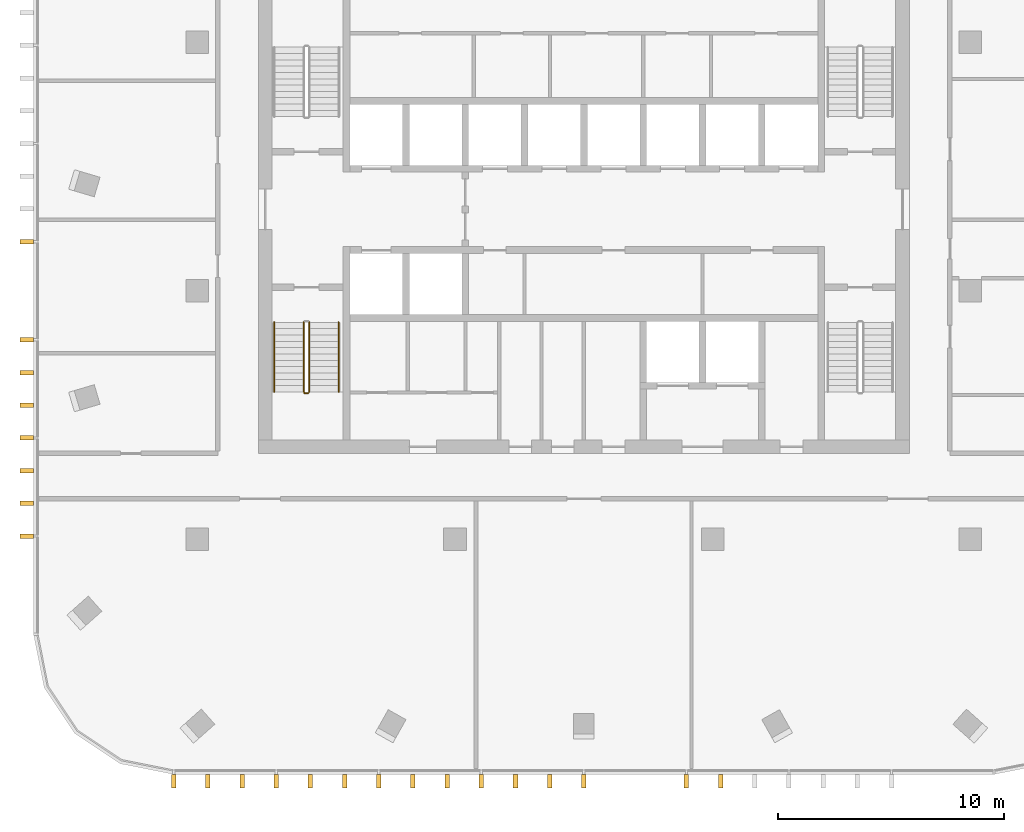
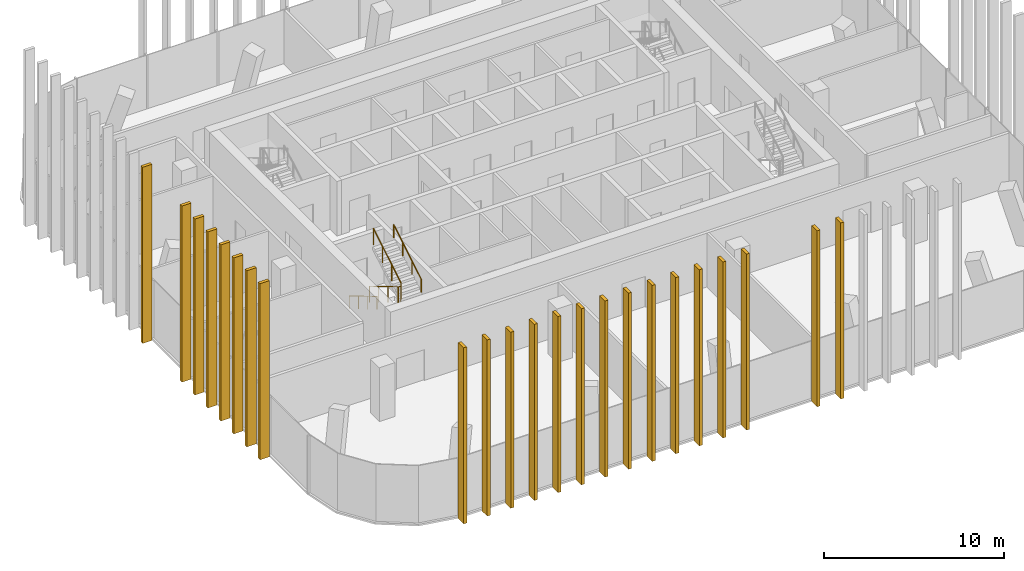
# One storey, part 10 of 13: 23 shading devices, 4 railings.
"""IFC4 building model written with IfcOpenShell, lengths in metres."""

from ifc_helpers import new_model, si_unit, direction, frame, origin, origin_2d, place, context, subcontext, project, spatial, rectangle, circle, extrude, material, type_object, element, save


model = new_model("IFC4")

# Units and contexts
model_context = context("Model", 3, precision=1e-05, world=origin(), true_north=direction((0.0, 1.0)))
body_context = subcontext(model_context, "Body", "Model", "MODEL_VIEW")
ifc_project = project(units=[si_unit("LENGTHUNIT", "METRE"), si_unit("AREAUNIT", "SQUARE_METRE"), si_unit("VOLUMEUNIT", "CUBIC_METRE"), si_unit("PLANEANGLEUNIT", "RADIAN"), si_unit("MASSUNIT", "GRAM", prefix="KILO")], contexts=[model_context])

# Site, building, storey
site_placement = place(None, origin())
site = spatial("IfcSite", under=ifc_project, at=site_placement, CompositionType="ELEMENT")
building_placement = place(site_placement, origin())
building = spatial("IfcBuilding", under=site, at=building_placement, Name="Mopane Tessera Tower", CompositionType="ELEMENT")
storey_placement = place(building_placement, frame((0.0, 0.0, 345.39990234375)))
storey = spatial("IfcBuildingStorey", under=building, at=storey_placement, Name="L75", CompositionType="ELEMENT", Elevation=345.39990234375)

# Shading devices
ifc_material_1 = material(Name="Glazed ceramic tile")
shading_device_type = type_object("IfcShadingDeviceType", Name="Ceramic tile fin 600 x 200 mm", PredefinedType="USERDEFINED", material=ifc_material_1)
for number, where, z_axis, x_axis, name in (
    (1, (-18.14990234375, -21.699951171875, -0.35009765625), (0.0, 0.0, 1.0), (1.0, 0.0, 0.0), "e:fin:L75:S:0:0"),
    (2, (-16.637451171875, -21.699951171875, -0.35009765625), (0.0, 0.0, 1.0), (1.0, 0.0, 0.0), "e:fin:L75:S:0:1"),
    (3, (-15.125, -21.699951171875, -0.35009765625), (0.0, 0.0, 1.0), (1.0, 0.0, 0.0), "e:fin:L75:S:0:2"),
    (4, (-13.612548828125, -21.699951171875, -0.35009765625), (0.0, 0.0, 1.0), (1.0, 0.0, 0.0), "e:fin:L75:S:1:0"),
    (5, (-12.10009765625, -21.699951171875, -0.35009765625), (0.0, 0.0, 1.0), (1.0, 0.0, 0.0), "e:fin:L75:S:1:1"),
    (6, (-10.58740234375, -21.699951171875, -0.35009765625), (0.0, 0.0, 1.0), (1.0, 0.0, 0.0), "e:fin:L75:S:1:2"),
    (7, (-9.074951171875, -21.699951171875, -0.35009765625), (0.0, 0.0, 1.0), (1.0, 0.0, 0.0), "e:fin:L75:S:2:0"),
    (8, (-7.5625, -21.699951171875, -0.35009765625), (0.0, 0.0, 1.0), (1.0, 0.0, 0.0), "e:fin:L75:S:2:1"),
    (9, (-6.050048828125, -21.699951171875, -0.35009765625), (0.0, 0.0, 1.0), (1.0, 0.0, 0.0), "e:fin:L75:S:2:2"),
    (10, (-4.53759765625, -21.699951171875, -0.35009765625), (0.0, 0.0, 1.0), (1.0, 0.0, 0.0), "e:fin:L75:S:3:0"),
    (11, (-3.02490234375, -21.699951171875, -0.35009765625), (0.0, 0.0, 1.0), (1.0, 0.0, 0.0), "e:fin:L75:S:3:1"),
    (12, (-1.512451171875, -21.699951171875, -0.35009765625), (0.0, 0.0, 1.0), (1.0, 0.0, 0.0), "e:fin:L75:S:3:2"),
    (13, (0.0, -21.699951171875, -0.35009765625), (0.0, 0.0, 1.0), (1.0, 0.0, 0.0), "e:fin:L75:S:3:3"),
    (14, (4.53759765625, -21.699951171875, -0.35009765625), (0.0, 0.0, 1.0), (1.0, 0.0, 0.0), "e:fin:L75:S:5:0"),
    (15, (6.050048828125, -21.699951171875, -0.35009765625), (0.0, 0.0, 1.0), (1.0, 0.0, 0.0), "e:fin:L75:S:5:1"),
    (16, (-24.64990234375, 2.17138671875, -0.35009765625), (0.0, 0.0, 1.0), (0.0, -1.0, 0.0), "e:fin:L75:W:2:3"),
    (17, (-24.64990234375, -2.17138671875, -0.35009765625), (0.0, 0.0, 1.0), (0.0, -1.0, 0.0), "e:fin:L75:W:4:0"),
    (18, (-24.64990234375, -3.619140625, -0.35009765625), (0.0, 0.0, 1.0), (0.0, -1.0, 0.0), "e:fin:L75:W:4:1"),
    (19, (-24.64990234375, -5.066650390625, -0.35009765625), (0.0, 0.0, 1.0), (0.0, -1.0, 0.0), "e:fin:L75:W:4:2"),
    (20, (-24.64990234375, -6.514404296875, -0.35009765625), (0.0, 0.0, 1.0), (0.0, -1.0, 0.0), "e:fin:L75:W:5:0"),
    (21, (-24.64990234375, -7.9619140625, -0.35009765625), (0.0, 0.0, 1.0), (0.0, -1.0, 0.0), "e:fin:L75:W:5:1"),
    (22, (-24.64990234375, -9.409423828125, -0.35009765625), (0.0, 0.0, 1.0), (0.0, -1.0, 0.0), "e:fin:L75:W:5:2"),
    (23, (-24.64990234375, -10.857177734375, -0.35009765625), (0.0, 0.0, 1.0), (0.0, -1.0, 0.0), "e:fin:L75:W:5:3"),
):
    element("IfcShadingDevice", number, at=place(storey_placement, frame(where, z_axis=z_axis, x_axis=x_axis)), inside=storey, type_object=shading_device_type, Name=name, ObjectType="FIN", PredefinedType="USERDEFINED", context=body_context, shape_type="SweptSolid", body=[
        extrude(rectangle(XDim=0.199951171875, YDim=0.60009765625, at=origin_2d()), origin(), (0.0, 0.0, 1.0), 11.949951171875),
    ])

# Railings
ifc_material_2 = material(Name="Powder-coated steel balustrade", Category="steel")
railing_type_1 = type_object("IfcRailingType", Name="Escape stair guard 1100 mm", PredefinedType="GUARDRAIL", material=ifc_material_2)
railing_1_placement = place(storey_placement, frame((-12.39990234375, -1.39990234375, 0.166748046875)))
element("IfcRailing", 24, at=railing_1_placement, inside=storey, type_object=railing_type_1, Name="L75 ST1 stair guard 1", PredefinedType="GUARDRAIL", context=body_context, shape_type="SweptSolid", body=[
    extrude(circle(Radius=0.02392578125, at=origin_2d()), frame((0.0, 0.0, 1.076171875), z_axis=(0.0, -0.859308565015, 0.511457515432), x_axis=(1.0, 0.0, 0.0)), (0.0, 0.0, 1.0), 3.58447265625),
    extrude(circle(Radius=0.02392578125, at=origin_2d()), frame((0.0, -3.080078125, 2.9091796875), z_axis=(0.705375805398, -0.708833529934, 0.0), x_axis=(0.708833529934, 0.705375805398, 0.0)), (0.0, 0.0, 1.0), 0.070556640625),
    extrude(circle(Radius=0.02392578125, at=origin_2d()), frame((0.0498046875, -3.130126953125, 2.9091796875), z_axis=(1.0, 0.0, 0.0), x_axis=(0.0, 1.0, 0.0)), (0.0, 0.0, 1.0), 0.150146484375),
    extrude(circle(Radius=0.02099609375, at=origin_2d()), origin(), (0.0, 0.0, 1.0), 1.052001953125),
    extrude(circle(Radius=0.02099609375, at=origin_2d()), frame((0.0, -1.026611328125, 0.611083984375)), (0.0, 0.0, 1.0), 1.052001953125),
    extrude(circle(Radius=0.02099609375, at=origin_2d()), frame((0.0, -2.053466796875, 1.22216796875)), (0.0, 0.0, 1.0), 1.052001953125),
    extrude(circle(Radius=0.02099609375, at=origin_2d()), frame((0.0, -3.080078125, 1.833251953125)), (0.0, 0.0, 1.0), 1.052001953125),
    extrude(circle(Radius=0.02099609375, at=origin_2d()), frame((0.0498046875, -3.130126953125, 1.833251953125)), (0.0, 0.0, 1.0), 1.052001953125),
    extrude(circle(Radius=0.02099609375, at=origin_2d()), frame((0.199951171875, -3.130126953125, 1.833251953125)), (0.0, 0.0, 1.0), 1.052001953125),
])
railing_2_placement = place(storey_placement, frame((-12.14990234375, -4.47998046875, 2.166748046875)))
element("IfcRailing", 25, at=railing_2_placement, inside=storey, type_object=railing_type_1, Name="L75 ST1 stair guard 2", PredefinedType="GUARDRAIL", context=body_context, shape_type="SweptSolid", body=[
    extrude(circle(Radius=0.02392578125, at=origin_2d()), frame((0.0, 0.0, 1.076171875), z_axis=(0.0, 0.859308565015, 0.511457515432), x_axis=(-1.0, 0.0, 0.0)), (0.0, 0.0, 1.0), 3.58447265625),
    extrude(circle(Radius=0.02099609375, at=origin_2d()), origin(), (0.0, 0.0, 1.0), 1.052001953125),
    extrude(circle(Radius=0.02099609375, at=origin_2d()), frame((0.0, 1.026611328125, 0.611083984375)), (0.0, 0.0, 1.0), 1.052001953125),
    extrude(circle(Radius=0.02099609375, at=origin_2d()), frame((0.0, 2.053466796875, 1.22216796875)), (0.0, 0.0, 1.0), 1.052001953125),
    extrude(circle(Radius=0.02099609375, at=origin_2d()), frame((0.0, 3.080078125, 1.833251953125)), (0.0, 0.0, 1.0), 1.052001953125),
])
ifc_material_3 = material(Name="Powder-coated steel balustrade", Category="steel")
railing_type_2 = type_object("IfcRailingType", Name="Escape stair handrail 900 mm", PredefinedType="HANDRAIL", material=ifc_material_3)
railing_3_placement = place(storey_placement, frame((-13.699951171875, -1.39990234375, 0.166748046875)))
element("IfcRailing", 26, at=railing_3_placement, inside=storey, type_object=railing_type_2, Name="L75 ST1 stair handrail 1", PredefinedType="HANDRAIL", context=body_context, shape_type="SweptSolid", body=[
    extrude(circle(Radius=0.02392578125, at=origin_2d()), frame((0.0, 0.0, 0.8759765625), z_axis=(0.0, -0.859308565015, 0.511457515432), x_axis=(1.0, 0.0, 0.0)), (0.0, 0.0, 1.0), 3.58447265625),
    extrude(circle(Radius=0.02099609375, at=origin_2d()), origin(), (0.0, 0.0, 1.0), 0.851806640625),
    extrude(circle(Radius=0.02099609375, at=origin_2d()), frame((0.0, -1.026611328125, 0.611083984375)), (0.0, 0.0, 1.0), 0.851806640625),
    extrude(circle(Radius=0.02099609375, at=origin_2d()), frame((0.0, -2.053466796875, 1.22216796875)), (0.0, 0.0, 1.0), 0.851806640625),
    extrude(circle(Radius=0.02099609375, at=origin_2d()), frame((0.0, -3.080078125, 1.833251953125)), (0.0, 0.0, 1.0), 0.851806640625),
])
railing_4_placement = place(storey_placement, frame((-10.85009765625, -4.47998046875, 2.166748046875)))
element("IfcRailing", 27, at=railing_4_placement, inside=storey, type_object=railing_type_2, Name="L75 ST1 stair handrail 2", PredefinedType="HANDRAIL", context=body_context, shape_type="SweptSolid", body=[
    extrude(circle(Radius=0.02392578125, at=origin_2d()), frame((0.0, 0.0, 0.8759765625), z_axis=(0.0, 0.859308565015, 0.511457515432), x_axis=(-1.0, 0.0, 0.0)), (0.0, 0.0, 1.0), 3.58447265625),
    extrude(circle(Radius=0.02099609375, at=origin_2d()), origin(), (0.0, 0.0, 1.0), 0.851806640625),
    extrude(circle(Radius=0.02099609375, at=origin_2d()), frame((0.0, 1.026611328125, 0.611083984375)), (0.0, 0.0, 1.0), 0.851806640625),
    extrude(circle(Radius=0.02099609375, at=origin_2d()), frame((0.0, 2.053466796875, 1.22216796875)), (0.0, 0.0, 1.0), 0.851806640625),
    extrude(circle(Radius=0.02099609375, at=origin_2d()), frame((0.0, 3.080078125, 1.833251953125)), (0.0, 0.0, 1.0), 0.851806640625),
])

save(model, "model.ifc")
